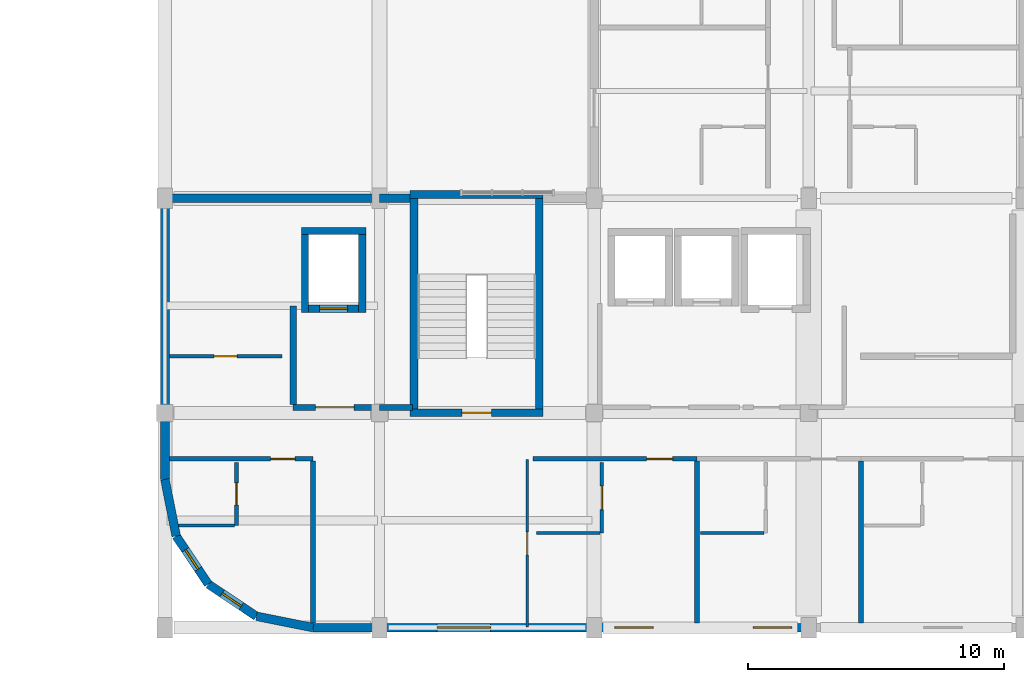
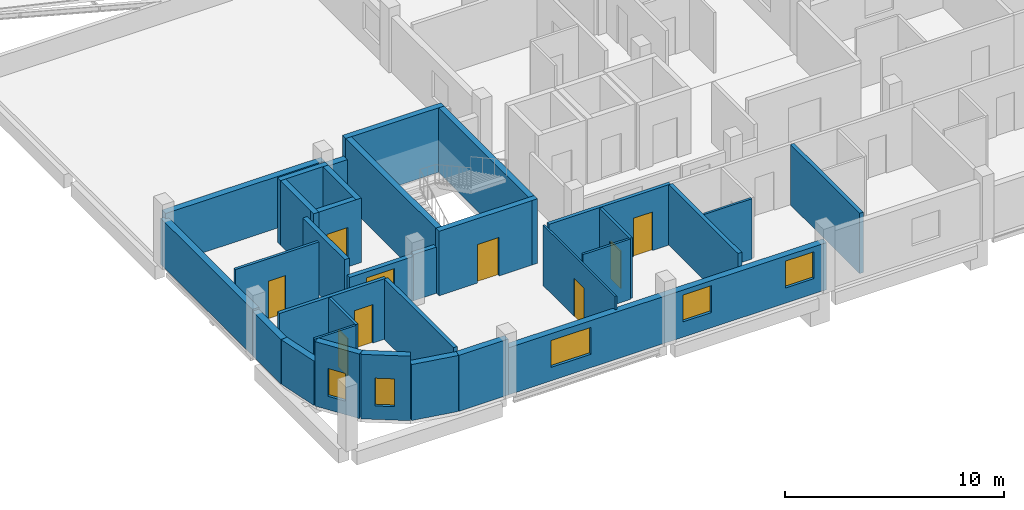
# One storey, part 27 of 42: 33 walls, 9 doors, 5 windows, 14 openings.
"""IFC4 building model written with IfcOpenShell, lengths in metres."""

from ifc_helpers import new_model, si_unit, derived_unit, direction, frame, frame_2d, origin, place, context, subcontext, project, spatial, rectangle, extrude, material, layer, layer_set, type_object, element, fill, save


model = new_model("IFC4")

# Units and contexts
model_context = context("Model", 3, precision=1e-05, world=origin(), true_north=direction((0.0, 1.0)))
body_context = subcontext(model_context, "Body", "Model", "MODEL_VIEW")
ifc_project = project(units=[si_unit("LENGTHUNIT", "METRE"), si_unit("AREAUNIT", "SQUARE_METRE"), si_unit("VOLUMEUNIT", "CUBIC_METRE"), si_unit("PLANEANGLEUNIT", "RADIAN"), si_unit("MASSUNIT", "GRAM", prefix="KILO"), derived_unit("THERMALTRANSMITTANCEUNIT", [(si_unit("POWERUNIT", "WATT"), 1), (si_unit("LENGTHUNIT", "METRE"), -2), (si_unit("THERMODYNAMICTEMPERATUREUNIT", "KELVIN"), -1)])], contexts=[model_context])

# Site, building, storey
site_placement = place(None, origin())
site = spatial("IfcSite", under=ifc_project, at=site_placement, CompositionType="ELEMENT")
building_placement = place(site_placement, origin())
building = spatial("IfcBuilding", under=site, at=building_placement, Name="Barrovel Congress Hotel", CompositionType="ELEMENT")
storey_placement = place(building_placement, frame((0.0, 0.0, 18.300048828125)))
storey = spatial("IfcBuildingStorey", under=building, at=storey_placement, Name="L04", CompositionType="ELEMENT", Elevation=18.300048828125)

# Wall
ifc_material_1 = material(Name="Fired Clay Brick Masonry", Category="masonry")
ifc_layer_1 = layer(ifc_material_1, 0.340087890625)
ifc_layer_set_1 = layer_set([ifc_layer_1], Name="Fired Clay Brick Masonry")
wall_type_1 = type_object("IfcWallType", Name="EW-BRK340", PredefinedType="STANDARD", material=ifc_layer_set_1)
wall_1_placement = place(storey_placement, frame((16.800048828125, 10.0, 0.0), z_axis=(0.0, 0.0, 1.0), x_axis=(0.195057908159, -0.980791727363, 0.0)))
element("IfcWall", 1, at=wall_1_placement, inside=storey, type_object=wall_type_1, Name="EW:L04:PROW-1", PredefinedType="STANDARD", context=body_context, shape_type="SweptSolid", body=[
    extrude(rectangle(XDim=2.262939453125, YDim=0.340087890625, at=frame_2d((1.13134765625, 0.0))), origin(), (0.0, 0.0, 1.0), 2.47998046875),
])

# Wall, opening, window
wall_2_placement = place(storey_placement, frame((17.241455078125, 7.780517578125, 0.0), z_axis=(0.0, 0.0, 1.0), x_axis=(0.555546297918, -0.831485604728, 0.0)))
wall_2 = element("IfcWall", 2, at=wall_2_placement, inside=storey, type_object=wall_type_1, Name="EW:L04:PROW-2", PredefinedType="STANDARD", context=body_context, shape_type="SweptSolid", body=[
    extrude(rectangle(XDim=2.26318359375, YDim=0.340087890625, at=frame_2d((1.131591796875, 0.0))), origin(), (0.0, 0.0, 1.0), 3.599853515625),
])
opening_1_placement = place(wall_2_placement, frame((0.64990234375, 0.0, 0.75)))
opening_1 = element("IfcOpeningElement", 3, at=opening_1_placement, cuts=wall_2, Name="Opening WN-11", PredefinedType="OPENING", context=body_context, shape_type="SweptSolid", body=[
    extrude(rectangle(XDim=0.89990234375, YDim=1.550048828125, at=frame_2d((0.449951171875, 0.77490234375))), frame((0.0, 0.18017578125, 0.0), z_axis=(0.0, -1.0, 0.0), x_axis=(1.0, 0.0, 0.0)), (0.0, 0.0, 1.0), 0.360107421875),
])
ifc_material_2 = material(Name="Double Low-E Insulated Glazing", Category="glass")
window_type_1 = type_object("IfcWindowType", Name="WIN-WN-11", PartitioningType="SINGLE_PANEL", PredefinedType="WINDOW", material=ifc_material_2)
window_1_placement = place(opening_1_placement, origin())
window_1 = element("IfcWindow", 4, at=window_1_placement, inside=storey, type_object=window_type_1, Name="WIN:L04:PROW-2", OverallHeight=1.550048828125, OverallWidth=0.89990234375, PartitioningType="SINGLE_PANEL", PredefinedType="WINDOW", context=body_context, shape_type="SweptSolid", body=[
    extrude(rectangle(XDim=0.89990234375, YDim=1.550048828125, at=frame_2d((0.449951171875, 0.77490234375))), frame((0.0, 0.030029296875, 0.0), z_axis=(0.0, -1.0, 0.0), x_axis=(1.0, 0.0, 0.0)), (0.0, 0.0, 1.0), 0.06005859375),
])
fill(opening_1, window_1)

wall_3_placement = place(storey_placement, frame((18.498779296875, 5.898681640625, 0.0), z_axis=(0.0, 0.0, 1.0), x_axis=(0.831502143458, -0.555521543618, 0.0)))
wall_3 = element("IfcWall", 5, at=wall_3_placement, inside=storey, type_object=wall_type_1, Name="EW:L04:PROW-3", PredefinedType="STANDARD", context=body_context, shape_type="SweptSolid", body=[
    extrude(rectangle(XDim=2.262939453125, YDim=0.340087890625, at=frame_2d((1.13134765625, 0.0))), origin(), (0.0, 0.0, 1.0), 3.599853515625),
])
opening_2_placement = place(wall_3_placement, frame((0.64990234375, 0.0, 0.75)))
opening_2 = element("IfcOpeningElement", 6, at=opening_2_placement, cuts=wall_3, Name="Opening WN-11", PredefinedType="OPENING", context=body_context, shape_type="SweptSolid", body=[
    extrude(rectangle(XDim=0.89990234375, YDim=1.550048828125, at=frame_2d((0.449951171875, 0.77490234375))), frame((0.0, 0.18017578125, 0.0), z_axis=(0.0, -1.0, 0.0), x_axis=(1.0, 0.0, 0.0)), (0.0, 0.0, 1.0), 0.360107421875),
])
window_2_placement = place(opening_2_placement, origin())
window_2 = element("IfcWindow", 7, at=window_2_placement, inside=storey, type_object=window_type_1, Name="WIN:L04:PROW-3", OverallHeight=1.550048828125, OverallWidth=0.89990234375, PartitioningType="SINGLE_PANEL", PredefinedType="WINDOW", context=body_context, shape_type="SweptSolid", body=[
    extrude(rectangle(XDim=0.89990234375, YDim=1.550048828125, at=frame_2d((0.449951171875, 0.77490234375))), frame((0.0, 0.030029296875, 0.0), z_axis=(0.0, -1.0, 0.0), x_axis=(1.0, 0.0, 0.0)), (0.0, 0.0, 1.0), 0.06005859375),
])
fill(opening_2, window_2)

# Wall
wall_4_placement = place(storey_placement, frame((20.38037109375, 4.6416015625, 0.0), z_axis=(0.0, 0.0, 1.0), x_axis=(0.98077519094, -0.195141038321, 0.0)))
element("IfcWall", 8, at=wall_4_placement, inside=storey, type_object=wall_type_1, Name="EW:L04:PROW-4", PredefinedType="STANDARD", context=body_context, shape_type="SweptSolid", body=[
    extrude(rectangle(XDim=2.26318359375, YDim=0.340087890625, at=frame_2d((1.131591796875, 0.0))), origin(), (0.0, 0.0, 1.0), 3.1259765625),
])

# Wall, openings, windows
wall_5_placement = place(storey_placement, frame((25.199951171875, 4.199951171875, 0.0), z_axis=(0.0, 0.0, 1.0), x_axis=(1.0, 0.0, 0.0)))
wall_5 = element("IfcWall", 9, at=wall_5_placement, inside=storey, type_object=wall_type_1, Name="EW:L04:HS-S", PredefinedType="STANDARD", context=body_context, shape_type="SweptSolid", body=[
    extrude(rectangle(XDim=16.800048828125, YDim=0.340087890625, at=frame_2d((8.39990234375, 0.0))), origin(), (0.0, 0.0, 1.0), 2.6298828125),
])
opening_3_placement = place(wall_5_placement, frame((9.208984375, 0.0, 0.85009765625)))
opening_3 = element("IfcOpeningElement", 10, at=opening_3_placement, cuts=wall_5, Name="Opening WN-07", PredefinedType="OPENING", context=body_context, shape_type="SweptSolid", body=[
    extrude(rectangle(XDim=1.5, YDim=1.5, at=frame_2d((0.75, 0.75))), frame((0.0, 0.18017578125, 0.0), z_axis=(0.0, -1.0, 0.0), x_axis=(1.0, 0.0, 0.0)), (0.0, 0.0, 1.0), 0.360107421875),
])
opening_4_placement = place(wall_5_placement, frame((14.627197265625, 0.0, 0.85009765625)))
opening_4 = element("IfcOpeningElement", 11, at=opening_4_placement, cuts=wall_5, Name="Opening WN-07", PredefinedType="OPENING", context=body_context, shape_type="SweptSolid", body=[
    extrude(rectangle(XDim=1.5, YDim=1.5, at=frame_2d((0.75, 0.75))), frame((0.0, 0.18017578125, 0.0), z_axis=(0.0, -1.0, 0.0), x_axis=(1.0, 0.0, 0.0)), (0.0, 0.0, 1.0), 0.360107421875),
])
opening_5_placement = place(wall_5_placement, frame((2.25, 0.0, 0.75)))
opening_5 = element("IfcOpeningElement", 12, at=opening_5_placement, cuts=wall_5, Name="Opening WN-09", PredefinedType="OPENING", context=body_context, shape_type="SweptSolid", body=[
    extrude(rectangle(XDim=2.10009765625, YDim=1.5, at=frame_2d((1.050048828125, 0.75))), frame((0.0, 0.18017578125, 0.0), z_axis=(0.0, -1.0, 0.0), x_axis=(1.0, 0.0, 0.0)), (0.0, 0.0, 1.0), 0.360107421875),
])
window_type_2 = type_object("IfcWindowType", Name="WIN-WN-07", PartitioningType="SINGLE_PANEL", PredefinedType="WINDOW", material=ifc_material_2)
window_3_placement = place(opening_3_placement, origin())
window_3 = element("IfcWindow", 13, at=window_3_placement, inside=storey, type_object=window_type_2, Name="WIN:L04:U02", OverallHeight=1.5, OverallWidth=1.5, PartitioningType="SINGLE_PANEL", PredefinedType="WINDOW", context=body_context, shape_type="SweptSolid", body=[
    extrude(rectangle(XDim=1.5, YDim=1.5, at=frame_2d((0.75, 0.75))), frame((0.0, 0.030029296875, 0.0), z_axis=(0.0, -1.0, 0.0), x_axis=(1.0, 0.0, 0.0)), (0.0, 0.0, 1.0), 0.06005859375),
])
fill(opening_3, window_3)
window_4_placement = place(opening_4_placement, origin())
window_4 = element("IfcWindow", 14, at=window_4_placement, inside=storey, type_object=window_type_2, Name="WIN:L04:U03", OverallHeight=1.5, OverallWidth=1.5, PartitioningType="SINGLE_PANEL", PredefinedType="WINDOW", context=body_context, shape_type="SweptSolid", body=[
    extrude(rectangle(XDim=1.5, YDim=1.5, at=frame_2d((0.75, 0.75))), frame((0.0, 0.030029296875, 0.0), z_axis=(0.0, -1.0, 0.0), x_axis=(1.0, 0.0, 0.0)), (0.0, 0.0, 1.0), 0.06005859375),
])
fill(opening_4, window_4)
window_type_3 = type_object("IfcWindowType", Name="WIN-WN-09", PartitioningType="SINGLE_PANEL", PredefinedType="WINDOW", material=ifc_material_2)
window_5_placement = place(opening_5_placement, origin())
window_5 = element("IfcWindow", 15, at=window_5_placement, inside=storey, type_object=window_type_3, Name="WIN:L04:SALON", OverallHeight=1.5, OverallWidth=2.10009765625, PartitioningType="SINGLE_PANEL", PredefinedType="WINDOW", context=body_context, shape_type="SweptSolid", body=[
    extrude(rectangle(XDim=2.10009765625, YDim=1.5, at=frame_2d((1.050048828125, 0.75))), frame((0.0, 0.030029296875, 0.0), z_axis=(0.0, -1.0, 0.0), x_axis=(1.0, 0.0, 0.0)), (0.0, 0.0, 1.0), 0.06005859375),
])
fill(opening_5, window_5)

# Walls
wall_6_placement = place(storey_placement, frame((25.199951171875, 21.0, 0.0), z_axis=(0.0, 0.0, 1.0), x_axis=(-1.0, 0.0, 0.0)))
element("IfcWall", 16, at=wall_6_placement, inside=storey, type_object=wall_type_1, Name="EW:L04:HS-NW-2", PredefinedType="STANDARD", context=body_context, shape_type="SweptSolid", body=[
    extrude(rectangle(XDim=8.39990234375, YDim=0.340087890625, at=frame_2d((4.199951171875, 0.0))), origin(), (0.0, 0.0, 1.0), 2.8798828125),
])
wall_7_placement = place(storey_placement, frame((16.800048828125, 21.0, 0.0), z_axis=(0.0, 0.0, 1.0), x_axis=(0.0, -1.0, 0.0)))
element("IfcWall", 17, at=wall_7_placement, inside=storey, type_object=wall_type_1, Name="EW:L04:HS-SW", PredefinedType="STANDARD", context=body_context, shape_type="SweptSolid", body=[
    extrude(rectangle(XDim=8.39990234375, YDim=0.340087890625, at=frame_2d((4.199951171875, 0.0))), origin(), (0.0, 0.0, 1.0), 2.579833984375),
])
wall_8_placement = place(storey_placement, frame((22.60009765625, 4.199951171875, 0.0), z_axis=(0.0, 0.0, 1.0), x_axis=(1.0, 0.0, 0.0)))
element("IfcWall", 18, at=wall_8_placement, inside=storey, type_object=wall_type_1, Name="EW:L04:HS-S:P01", PredefinedType="STANDARD", context=body_context, shape_type="SweptSolid", body=[
    extrude(rectangle(XDim=2.599853515625, YDim=0.340087890625, at=frame_2d((1.2998046875, 0.0))), origin(), (0.0, 0.0, 1.0), 3.1259765625),
])
wall_9_placement = place(storey_placement, frame((26.39990234375, 21.0, 0.0), z_axis=(0.0, 0.0, 1.0), x_axis=(-1.0, 0.0, 0.0)))
element("IfcWall", 19, at=wall_9_placement, inside=storey, type_object=wall_type_1, Name="EW:L04:HS-NW-2:P01", PredefinedType="STANDARD", context=body_context, shape_type="SweptSolid", body=[
    extrude(rectangle(XDim=1.199951171875, YDim=0.340087890625, at=frame_2d((0.60009765625, 0.0))), origin(), (0.0, 0.0, 1.0), 2.530029296875),
])
wall_10_placement = place(storey_placement, frame((16.800048828125, 12.60009765625, 0.0), z_axis=(0.0, 0.0, 1.0), x_axis=(0.0, -1.0, 0.0)))
element("IfcWall", 20, at=wall_10_placement, inside=storey, type_object=wall_type_1, Name="EW:L04:HS-SW:P02", PredefinedType="STANDARD", context=body_context, shape_type="SweptSolid", body=[
    extrude(rectangle(XDim=2.60009765625, YDim=0.340087890625, at=frame_2d((1.300048828125, 0.0))), origin(), (0.0, 0.0, 1.0), 2.47998046875),
])

# Wall, opening, door
ifc_material_3 = material(Name="Gypsum Acoustic Stud", Category="gypsum")
ifc_layer_2 = layer(ifc_material_3, 0.179931640625)
ifc_layer_set_2 = layer_set([ifc_layer_2], Name="Gypsum Acoustic Stud")
wall_type_2 = type_object("IfcWallType", Name="PW-ACU-180", PredefinedType="PARTITIONING", material=ifc_layer_set_2)
wall_11_placement = place(storey_placement, frame((16.969970703125, 10.800048828125, 0.0), z_axis=(0.0, 0.0, 1.0), x_axis=(1.0, 0.0, 0.0)))
wall_11 = element("IfcWall", 21, at=wall_11_placement, inside=storey, type_object=wall_type_2, Name="PW:L04:U01:COR", PredefinedType="PARTITIONING", context=body_context, shape_type="SweptSolid", body=[
    extrude(rectangle(XDim=5.630126953125, YDim=0.179931640625, at=frame_2d((2.81494140625, 0.0))), origin(), (0.0, 0.0, 1.0), 3.375),
])
opening_6_placement = place(wall_11_placement, frame((3.965087890625, 0.0, 0.0)))
opening_6 = element("IfcOpeningElement", 22, at=opening_6_placement, cuts=wall_11, Name="Opening ID-HTL", PredefinedType="OPENING", context=body_context, shape_type="SweptSolid", body=[
    extrude(rectangle(XDim=0.9599609375, YDim=2.14990234375, at=frame_2d((0.47998046875, 1.074951171875))), frame((0.0, 0.10009765625, 0.0), z_axis=(0.0, -1.0, 0.0), x_axis=(1.0, 0.0, 0.0)), (0.0, 0.0, 1.0), 0.199951171875),
])
ifc_material_4 = material(Name="Solid Oak Acoustic Timber Door", Category="wood")
door_type_1 = type_object("IfcDoorType", Name="IDR-ID-HTL", OperationType="NOTDEFINED", PredefinedType="DOOR", material=ifc_material_4)
door_1_placement = place(opening_6_placement, origin())
door_1 = element("IfcDoor", 23, at=door_1_placement, inside=storey, type_object=door_type_1, Name="DR:L04:U01:ENT", OperationType="SINGLE_SWING_RIGHT", OverallHeight=2.14990234375, OverallWidth=0.9599609375, PredefinedType="DOOR", context=body_context, shape_type="SweptSolid", body=[
    extrude(rectangle(XDim=0.9599609375, YDim=2.14990234375, at=frame_2d((0.47998046875, 1.074951171875))), frame((0.0, 0.02490234375, 0.0), z_axis=(0.0, -1.0, 0.0), x_axis=(1.0, 0.0, 0.0)), (0.0, 0.0, 1.0), 0.050048828125),
])
fill(opening_6, door_1)

wall_12_placement = place(storey_placement, frame((31.199951171875, 10.800048828125, 0.0), z_axis=(0.0, 0.0, 1.0), x_axis=(1.0, 0.0, 0.0)))
wall_12 = element("IfcWall", 24, at=wall_12_placement, inside=storey, type_object=wall_type_2, Name="PW:L04:U02:COR", PredefinedType="PARTITIONING", context=body_context, shape_type="SweptSolid", body=[
    extrude(rectangle(XDim=6.418212890625, YDim=0.179931640625, at=frame_2d((3.208984375, 0.0))), origin(), (0.0, 0.0, 1.0), 3.375),
])
opening_7_placement = place(wall_12_placement, frame((4.4501953125, 0.0, 0.0)))
opening_7 = element("IfcOpeningElement", 25, at=opening_7_placement, cuts=wall_12, Name="Opening ID-ACC", PredefinedType="OPENING", context=body_context, shape_type="SweptSolid", body=[
    extrude(rectangle(XDim=1.02001953125, YDim=2.14990234375, at=frame_2d((0.510009765625, 1.074951171875))), frame((0.0, 0.10009765625, 0.0), z_axis=(0.0, -1.0, 0.0), x_axis=(1.0, 0.0, 0.0)), (0.0, 0.0, 1.0), 0.199951171875),
])
door_type_2 = type_object("IfcDoorType", Name="IDR-ID-ACC", OperationType="NOTDEFINED", PredefinedType="DOOR", material=ifc_material_4)
door_2_placement = place(opening_7_placement, origin())
door_2 = element("IfcDoor", 26, at=door_2_placement, inside=storey, type_object=door_type_2, Name="DR:L04:U02:ENT", OperationType="SINGLE_SWING_RIGHT", OverallHeight=2.14990234375, OverallWidth=1.02001953125, PredefinedType="DOOR", context=body_context, shape_type="SweptSolid", body=[
    extrude(rectangle(XDim=1.02001953125, YDim=2.14990234375, at=frame_2d((0.510009765625, 1.074951171875))), frame((0.0, 0.02490234375, 0.0), z_axis=(0.0, -1.0, 0.0), x_axis=(1.0, 0.0, 0.0)), (0.0, 0.0, 1.0), 0.050048828125),
])
fill(opening_7, door_2)

# Walls
ifc_layer_3 = layer(ifc_material_3, 0.1201171875)
ifc_layer_set_3 = layer_set([ifc_layer_3], Name="Gypsum Acoustic Stud")
wall_type_3 = type_object("IfcWallType", Name="PW-INT-120", PredefinedType="PARTITIONING", material=ifc_layer_set_3)
wall_13_placement = place(storey_placement, frame((17.340087890625, 8.199951171875, 0.0), z_axis=(0.0, 0.0, 1.0), x_axis=(1.0, 0.0, 0.0)))
element("IfcWall", 27, at=wall_13_placement, inside=storey, type_object=wall_type_3, Name="PW:L04:U01:B2", PredefinedType="PARTITIONING", context=body_context, shape_type="SweptSolid", body=[
    extrude(rectangle(XDim=2.18994140625, YDim=0.1201171875, at=frame_2d((1.094970703125, 0.0))), origin(), (0.0, 0.0, 1.0), 3.375),
])
for number, where, z_axis, x_axis, name in (
    (28, (31.340087890625, 7.89990234375, 0.0), (0.0, 0.0, 1.0), (1.0, 0.0, 0.0), "PW:L04:U02:B2"),
    (29, (37.75830078125, 7.89990234375, 0.0), (0.0, 0.0, 1.0), (1.0, 0.0, 0.0), "PW:L04:U03:B2"),
):
    element("IfcWall", number, at=place(storey_placement, frame(where, z_axis=z_axis, x_axis=x_axis)), inside=storey, type_object=wall_type_3, Name=name, PredefinedType="PARTITIONING", context=body_context, shape_type="SweptSolid", body=[
        extrude(rectangle(XDim=2.489990234375, YDim=0.1201171875, at=frame_2d((1.2451171875, 0.0))), origin(), (0.0, 0.0, 1.0), 3.375),
    ])

# Wall, opening, door
ifc_layer_4 = layer(ifc_material_3, 0.10009765625)
ifc_layer_set_4 = layer_set([ifc_layer_4], Name="Gypsum Acoustic Stud")
wall_type_4 = type_object("IfcWallType", Name="PW-LGT-100", PredefinedType="PARTITIONING", material=ifc_layer_set_4)
wall_14_placement = place(storey_placement, frame((30.97998046875, 4.219970703125, 0.0), z_axis=(0.0, 0.0, 1.0), x_axis=(0.0, 1.0, 0.0)))
wall_14 = element("IfcWall", 30, at=wall_14_placement, inside=storey, type_object=wall_type_4, Name="RW:SP:L04:SALON:ED", PredefinedType="PARTITIONING", context=body_context, shape_type="SweptSolid", body=[
    extrude(rectangle(XDim=6.56005859375, YDim=0.10009765625, at=frame_2d((3.280029296875, 0.0))), origin(), (0.0, 0.0, 1.0), 3.375),
])
opening_8_placement = place(wall_14_placement, frame((2.830078125, 0.0, 0.0)))
opening_8 = element("IfcOpeningElement", 31, at=opening_8_placement, cuts=wall_14, Name="Opening ID-WC1", PredefinedType="OPENING", context=body_context, shape_type="SweptSolid", body=[
    extrude(rectangle(XDim=0.89990234375, YDim=2.1201171875, at=frame_2d((0.449951171875, 1.06005859375))), frame((0.0, 0.06005859375, 0.0), z_axis=(0.0, -1.0, 0.0), x_axis=(1.0, 0.0, 0.0)), (0.0, 0.0, 1.0), 0.1201171875),
])
ifc_material_5 = material(Name="Lacquered Timber Moisture Door", Category="wood")
door_type_3 = type_object("IfcDoorType", Name="IDR-ID-WC1", OperationType="NOTDEFINED", PredefinedType="DOOR", material=ifc_material_5)
door_3_placement = place(opening_8_placement, origin())
door_3 = element("IfcDoor", 32, at=door_3_placement, inside=storey, type_object=door_type_3, Name="RD:SP:L04:SALON", OperationType="SINGLE_SWING_RIGHT", OverallHeight=2.1201171875, OverallWidth=0.89990234375, PredefinedType="DOOR", context=body_context, shape_type="SweptSolid", body=[
    extrude(rectangle(XDim=0.89990234375, YDim=2.1201171875, at=frame_2d((0.449951171875, 1.06005859375))), frame((0.0, 0.02490234375, 0.0), z_axis=(0.0, -1.0, 0.0), x_axis=(1.0, 0.0, 0.0)), (0.0, 0.0, 1.0), 0.050048828125),
])
fill(opening_8, door_3)

# Walls
ifc_layer_5 = layer(ifc_material_1, 0.199951171875)
ifc_layer_set_5 = layer_set([ifc_layer_5], Name="Fired Clay Brick Masonry")
wall_type_5 = type_object("IfcWallType", Name="PW-MAS-200", PredefinedType="PARTITIONING", material=ifc_layer_set_5)
for number, where, z_axis, x_axis, name in (
    (33, (22.60009765625, 4.3701171875, 0.0), (0.0, 0.0, 1.0), (0.0, 1.0, 0.0), "PW:L04:U01:DEM"),
    (34, (37.6181640625, 4.3701171875, 0.0), (0.0, 0.0, 1.0), (0.0, 1.0, 0.0), "PW:L04:U02:DEM"),
    (35, (44.036376953125, 4.3701171875, 0.0), (0.0, 0.0, 1.0), (0.0, 1.0, 0.0), "PW:L04:U03:DEM"),
):
    element("IfcWall", number, at=place(storey_placement, frame(where, z_axis=z_axis, x_axis=x_axis)), inside=storey, type_object=wall_type_5, Name=name, PredefinedType="PARTITIONING", context=body_context, shape_type="SweptSolid", body=[
        extrude(rectangle(XDim=6.33984375, YDim=0.199951171875, at=frame_2d((3.169921875, 0.0))), origin(), (0.0, 0.0, 1.0), 3.375),
    ])

# Wall, opening, door
ifc_layer_6 = layer(ifc_material_1, 0.239990234375)
ifc_layer_set_6 = layer_set([ifc_layer_6], Name="Fired Clay Brick Masonry")
wall_type_6 = type_object("IfcWallType", Name="PW-MAS-240", PredefinedType="PARTITIONING", material=ifc_layer_set_6)
wall_15_placement = place(storey_placement, frame((21.820068359375, 12.820068359375, 0.0), z_axis=(0.0, 0.0, 1.0), x_axis=(1.0, 0.0, 0.0)))
wall_15 = element("IfcWall", 36, at=wall_15_placement, inside=storey, type_object=wall_type_6, Name="RW:SP:L04:FFL-1:S", PredefinedType="PARTITIONING", context=body_context, shape_type="SweptSolid", body=[
    extrude(rectangle(XDim=3.3798828125, YDim=0.239990234375, at=frame_2d((1.68994140625, 0.0))), origin(), (0.0, 0.0, 1.0), 2.47998046875),
])
opening_9_placement = place(wall_15_placement, frame((0.8798828125, 0.0, 0.0)))
opening_9 = element("IfcOpeningElement", 37, at=opening_9_placement, cuts=wall_15, Name="Opening ID-FFL", PredefinedType="OPENING", context=body_context, shape_type="SweptSolid", body=[
    extrude(rectangle(XDim=1.5, YDim=2.14990234375, at=frame_2d((0.75, 1.074951171875))), frame((0.0, 0.1298828125, 0.0), z_axis=(0.0, -1.0, 0.0), x_axis=(1.0, 0.0, 0.0)), (0.0, 0.0, 1.0), 0.260009765625),
])
ifc_material_6 = material(Name="Painted Hollow-Metal Steel Door", Category="steel")
door_type_4 = type_object("IfcDoorType", Name="IDR-ID-FFL", OperationType="NOTDEFINED", PredefinedType="DOOR", material=ifc_material_6)
door_4_placement = place(opening_9_placement, origin())
door_4 = element("IfcDoor", 38, at=door_4_placement, inside=storey, type_object=door_type_4, Name="RD:SP:L04:FFL-1", OperationType="DOUBLE_DOOR_SINGLE_SWING", OverallHeight=2.14990234375, OverallWidth=1.5, PredefinedType="DOOR", context=body_context, shape_type="SweptSolid", body=[
    extrude(rectangle(XDim=1.5, YDim=2.14990234375, at=frame_2d((0.75, 1.074951171875))), frame((0.0, 0.02490234375, 0.0), z_axis=(0.0, -1.0, 0.0), x_axis=(1.0, 0.0, 0.0)), (0.0, 0.0, 1.0), 0.050048828125),
])
fill(opening_9, door_4)

# Walls
wall_16_placement = place(storey_placement, frame((21.820068359375, 12.93994140625, 0.0), z_axis=(0.0, 0.0, 1.0), x_axis=(0.0, 1.0, 0.0)))
element("IfcWall", 39, at=wall_16_placement, inside=storey, type_object=wall_type_6, Name="RW:SP:L04:FFL-1:W", PredefinedType="PARTITIONING", context=body_context, shape_type="SweptSolid", body=[
    extrude(rectangle(XDim=3.840087890625, YDim=0.239990234375, at=frame_2d((1.919921875, 0.0))), origin(), (0.0, 0.0, 1.0), 3.375),
])
wall_17_placement = place(storey_placement, frame((25.199951171875, 12.820068359375, 0.0), z_axis=(0.0, 0.0, 1.0), x_axis=(1.0, 0.0, 0.0)))
element("IfcWall", 40, at=wall_17_placement, inside=storey, type_object=wall_type_6, Name="RW:SP:L04:FFL-1:S:P02", PredefinedType="PARTITIONING", context=body_context, shape_type="SweptSolid", body=[
    extrude(rectangle(XDim=1.280029296875, YDim=0.239990234375, at=frame_2d((0.64013671875, 0.0))), origin(), (0.0, 0.0, 1.0), 2.579833984375),
])

# Wall, opening, door
ifc_material_7 = material(Name="Gypsum Moisture Board", Category="gypsum")
ifc_layer_7 = layer(ifc_material_7, 0.139892578125)
ifc_layer_set_7 = layer_set([ifc_layer_7], Name="Gypsum Moisture Board")
wall_type_7 = type_object("IfcWallType", Name="PW-WET-140", PredefinedType="PARTITIONING", material=ifc_layer_set_7)
wall_18_placement = place(storey_placement, frame((19.60009765625, 8.199951171875, 0.0), z_axis=(0.0, 0.0, 1.0), x_axis=(0.0, 1.0, 0.0)))
wall_18 = element("IfcWall", 41, at=wall_18_placement, inside=storey, type_object=wall_type_7, Name="PW:L04:U01:B1", PredefinedType="PARTITIONING", context=body_context, shape_type="SweptSolid", body=[
    extrude(rectangle(XDim=2.4599609375, YDim=0.139892578125, at=frame_2d((1.22998046875, 0.0))), origin(), (0.0, 0.0, 1.0), 3.375),
])
opening_10_placement = place(wall_18_placement, frame((0.800048828125, 0.0, 0.0)))
opening_10 = element("IfcOpeningElement", 42, at=opening_10_placement, cuts=wall_18, Name="Opening ID-ENS", PredefinedType="OPENING", context=body_context, shape_type="SweptSolid", body=[
    extrude(rectangle(XDim=0.860107421875, YDim=2.10009765625, at=frame_2d((0.43017578125, 1.050048828125))), frame((0.0, 0.080078125, 0.0), z_axis=(0.0, -1.0, 0.0), x_axis=(1.0, 0.0, 0.0)), (0.0, 0.0, 1.0), 0.159912109375),
])
door_type_5 = type_object("IfcDoorType", Name="IDR-ID-ENS", OperationType="NOTDEFINED", PredefinedType="DOOR", material=ifc_material_5)
door_5_placement = place(opening_10_placement, origin())
door_5 = element("IfcDoor", 43, at=door_5_placement, inside=storey, type_object=door_type_5, Name="DR:L04:U01:ENS", OperationType="SINGLE_SWING_LEFT", OverallHeight=2.10009765625, OverallWidth=0.860107421875, PredefinedType="DOOR", context=body_context, shape_type="SweptSolid", body=[
    extrude(rectangle(XDim=0.860107421875, YDim=2.10009765625, at=frame_2d((0.43017578125, 1.050048828125))), frame((0.0, 0.02490234375, 0.0), z_axis=(0.0, -1.0, 0.0), x_axis=(1.0, 0.0, 0.0)), (0.0, 0.0, 1.0), 0.050048828125),
])
fill(opening_10, door_5)

wall_19_placement = place(storey_placement, frame((33.89990234375, 7.89990234375, 0.0), z_axis=(0.0, 0.0, 1.0), x_axis=(0.0, 1.0, 0.0)))
wall_19 = element("IfcWall", 44, at=wall_19_placement, inside=storey, type_object=wall_type_7, Name="PW:L04:U02:B1", PredefinedType="PARTITIONING", context=body_context, shape_type="SweptSolid", body=[
    extrude(rectangle(XDim=2.760009765625, YDim=0.139892578125, at=frame_2d((1.3798828125, 0.0))), origin(), (0.0, 0.0, 1.0), 3.375),
])
opening_11_placement = place(wall_19_placement, frame((0.919921875, 0.0, 0.0)))
opening_11 = element("IfcOpeningElement", 45, at=opening_11_placement, cuts=wall_19, Name="Opening ID-EA2", PredefinedType="OPENING", context=body_context, shape_type="SweptSolid", body=[
    extrude(rectangle(XDim=0.919921875, YDim=2.10009765625, at=frame_2d((0.4599609375, 1.050048828125))), frame((0.0, 0.080078125, 0.0), z_axis=(0.0, -1.0, 0.0), x_axis=(1.0, 0.0, 0.0)), (0.0, 0.0, 1.0), 0.159912109375),
])
door_type_6 = type_object("IfcDoorType", Name="IDR-ID-EA2", OperationType="NOTDEFINED", PredefinedType="DOOR", material=ifc_material_5)
door_6_placement = place(opening_11_placement, origin())
door_6 = element("IfcDoor", 46, at=door_6_placement, inside=storey, type_object=door_type_6, Name="DR:L04:U02:ENS", OperationType="SINGLE_SWING_LEFT", OverallHeight=2.10009765625, OverallWidth=0.919921875, PredefinedType="DOOR", context=body_context, shape_type="SweptSolid", body=[
    extrude(rectangle(XDim=0.919921875, YDim=2.10009765625, at=frame_2d((0.4599609375, 1.050048828125))), frame((0.0, 0.02490234375, 0.0), z_axis=(0.0, -1.0, 0.0), x_axis=(1.0, 0.0, 0.0)), (0.0, 0.0, 1.0), 0.050048828125),
])
fill(opening_11, door_6)

wall_20_placement = place(storey_placement, frame((16.969970703125, 14.820068359375, 0.0), z_axis=(0.0, 0.0, 1.0), x_axis=(1.0, 0.0, 0.0)))
wall_20 = element("IfcWall", 47, at=wall_20_placement, inside=storey, type_object=wall_type_7, Name="RW:SP:L04:HKP:S", PredefinedType="PARTITIONING", context=body_context, shape_type="SweptSolid", body=[
    extrude(rectangle(XDim=4.409912109375, YDim=0.139892578125, at=frame_2d((2.205078125, 0.0))), origin(), (0.0, 0.0, 1.0), 3.375),
])
opening_12_placement = place(wall_20_placement, frame((1.7548828125, 0.0, 0.0)))
opening_12 = element("IfcOpeningElement", 48, at=opening_12_placement, cuts=wall_20, Name="Opening ID-WC1", PredefinedType="OPENING", context=body_context, shape_type="SweptSolid", body=[
    extrude(rectangle(XDim=0.89990234375, YDim=2.1201171875, at=frame_2d((0.449951171875, 1.06005859375))), frame((0.0, 0.080078125, 0.0), z_axis=(0.0, -1.0, 0.0), x_axis=(1.0, 0.0, 0.0)), (0.0, 0.0, 1.0), 0.159912109375),
])
door_7_placement = place(opening_12_placement, origin())
door_7 = element("IfcDoor", 49, at=door_7_placement, inside=storey, type_object=door_type_3, Name="RD:SP:L04:HKP", OperationType="SINGLE_SWING_LEFT", OverallHeight=2.1201171875, OverallWidth=0.89990234375, PredefinedType="DOOR", context=body_context, shape_type="SweptSolid", body=[
    extrude(rectangle(XDim=0.89990234375, YDim=2.1201171875, at=frame_2d((0.449951171875, 1.06005859375))), frame((0.0, 0.02490234375, 0.0), z_axis=(0.0, -1.0, 0.0), x_axis=(1.0, 0.0, 0.0)), (0.0, 0.0, 1.0), 0.050048828125),
])
fill(opening_12, door_7)

ifc_material_8 = material(Name="Concrete C40", Category="concrete")
ifc_layer_8 = layer(ifc_material_8, 0.280029296875)
ifc_layer_set_8 = layer_set([ifc_layer_8], Name="Concrete C40")
wall_type_8 = type_object("IfcWallType", Name="SW-C40-280", PredefinedType="SHEAR", material=ifc_layer_set_8)
wall_21_placement = place(storey_placement, frame((22.139892578125, 16.679931640625, 0.0), z_axis=(0.0, 0.0, 1.0), x_axis=(1.0, 0.0, 0.0)))
wall_21 = element("IfcWall", 50, at=wall_21_placement, inside=storey, type_object=wall_type_8, Name="LSH:FL-1:L04:S", PredefinedType="SHEAR", context=body_context, shape_type="SweptSolid", body=[
    extrude(rectangle(XDim=2.52001953125, YDim=0.280029296875, at=frame_2d((1.260009765625, 0.0))), origin(), (0.0, 0.0, 1.0), 3.599853515625),
])
opening_13_placement = place(wall_21_placement, frame((0.7099609375, 0.0, 0.0)))
opening_13 = element("IfcOpeningElement", 51, at=opening_13_placement, cuts=wall_21, Name="Opening LD-FF", PredefinedType="OPENING", context=body_context, shape_type="SweptSolid", body=[
    extrude(rectangle(XDim=1.10009765625, YDim=2.199951171875, at=frame_2d((0.550048828125, 1.10009765625))), frame((0.0, 0.14990234375, 0.0), z_axis=(0.0, -1.0, 0.0), x_axis=(1.0, 0.0, 0.0)), (0.0, 0.0, 1.0), 0.300048828125),
])
ifc_material_9 = material(Name="Brushed Stainless Steel", Category="steel")
door_type_7 = type_object("IfcDoorType", Name="IDR-LD-FF", OperationType="NOTDEFINED", PredefinedType="DOOR", material=ifc_material_9)
door_8_placement = place(opening_13_placement, origin())
door_8 = element("IfcDoor", 52, at=door_8_placement, inside=storey, type_object=door_type_7, Name="Lift Landing Door LD-FL-1-L04", OperationType="SLIDING_TO_LEFT", OverallHeight=2.199951171875, OverallWidth=1.10009765625, PredefinedType="DOOR", context=body_context, shape_type="SweptSolid", body=[
    extrude(rectangle(XDim=1.10009765625, YDim=2.199951171875, at=frame_2d((0.550048828125, 1.10009765625))), frame((0.0, 0.02490234375, 0.0), z_axis=(0.0, -1.0, 0.0), x_axis=(1.0, 0.0, 0.0)), (0.0, 0.0, 1.0), 0.050048828125),
])
fill(opening_13, door_8)

# Walls
wall_22_placement = place(storey_placement, frame((24.52001953125, 16.5400390625, 0.0), z_axis=(0.0, 0.0, 1.0), x_axis=(0.0, 1.0, 0.0)))
element("IfcWall", 53, at=wall_22_placement, inside=storey, type_object=wall_type_8, Name="LSH:FL-1:L04:E", PredefinedType="SHEAR", context=body_context, shape_type="SweptSolid", body=[
    extrude(rectangle(XDim=3.320068359375, YDim=0.280029296875, at=frame_2d((1.66015625, 0.0))), origin(), (0.0, 0.0, 1.0), 3.599853515625),
])
wall_23_placement = place(storey_placement, frame((24.659912109375, 19.719970703125, 0.0), z_axis=(0.0, 0.0, 1.0), x_axis=(-1.0, 0.0, 0.0)))
element("IfcWall", 54, at=wall_23_placement, inside=storey, type_object=wall_type_8, Name="LSH:FL-1:L04:N", PredefinedType="SHEAR", context=body_context, shape_type="SweptSolid", body=[
    extrude(rectangle(XDim=2.52001953125, YDim=0.280029296875, at=frame_2d((1.260009765625, 0.0))), origin(), (0.0, 0.0, 1.0), 3.599853515625),
])
wall_24_placement = place(storey_placement, frame((22.280029296875, 19.860107421875, 0.0), z_axis=(0.0, 0.0, 1.0), x_axis=(0.0, -1.0, 0.0)))
element("IfcWall", 55, at=wall_24_placement, inside=storey, type_object=wall_type_8, Name="LSH:FL-1:L04:W", PredefinedType="SHEAR", context=body_context, shape_type="SweptSolid", body=[
    extrude(rectangle(XDim=3.320068359375, YDim=0.280029296875, at=frame_2d((1.66015625, 0.0))), origin(), (0.0, 0.0, 1.0), 3.599853515625),
])

# Wall, opening, door
ifc_layer_9 = layer(ifc_material_8, 0.300048828125)
ifc_layer_set_9 = layer_set([ifc_layer_9], Name="Concrete C40")
wall_type_9 = type_object("IfcWallType", Name="SW-C40-300", PredefinedType="SHEAR", material=ifc_layer_set_9)
wall_25_placement = place(storey_placement, frame((26.39990234375, 12.610107421875, 0.0), z_axis=(0.0, 0.0, 1.0), x_axis=(1.0, 0.0, 0.0)))
wall_25 = element("IfcWall", 56, at=wall_25_placement, inside=storey, type_object=wall_type_9, Name="SHW:XS-01:L04:S", PredefinedType="SHEAR", context=body_context, shape_type="SweptSolid", body=[
    extrude(rectangle(XDim=5.2001953125, YDim=0.300048828125, at=frame_2d((2.60009765625, 0.0))), origin(), (0.0, 0.0, 1.0), 3.599853515625),
])
opening_14_placement = place(wall_25_placement, frame((2.02490234375, 0.0, 0.0)))
opening_14 = element("IfcOpeningElement", 57, at=opening_14_placement, cuts=wall_25, Name="Opening ID-ST1", PredefinedType="OPENING", context=body_context, shape_type="SweptSolid", body=[
    extrude(rectangle(XDim=1.14990234375, YDim=2.14990234375, at=frame_2d((0.574951171875, 1.074951171875))), frame((0.0, 0.16015625, 0.0), z_axis=(0.0, -1.0, 0.0), x_axis=(1.0, 0.0, 0.0)), (0.0, 0.0, 1.0), 0.320068359375),
])
door_type_8 = type_object("IfcDoorType", Name="IDR-ID-ST1", OperationType="NOTDEFINED", PredefinedType="DOOR", material=ifc_material_6)
door_9_placement = place(opening_14_placement, origin())
door_9 = element("IfcDoor", 58, at=door_9_placement, inside=storey, type_object=door_type_8, Name="Stair Core Fire Door XS-01-L04", OperationType="SINGLE_SWING_RIGHT", OverallHeight=2.14990234375, OverallWidth=1.14990234375, PredefinedType="DOOR", context=body_context, shape_type="SweptSolid", body=[
    extrude(rectangle(XDim=1.14990234375, YDim=2.14990234375, at=frame_2d((0.574951171875, 1.074951171875))), frame((0.0, 0.02490234375, 0.0), z_axis=(0.0, -1.0, 0.0), x_axis=(1.0, 0.0, 0.0)), (0.0, 0.0, 1.0), 0.050048828125),
])
fill(opening_14, door_9)

# Walls
wall_26_placement = place(storey_placement, frame((31.449951171875, 12.4599609375, 0.0), z_axis=(0.0, 0.0, 1.0), x_axis=(0.0, 1.0, 0.0)))
element("IfcWall", 59, at=wall_26_placement, inside=storey, type_object=wall_type_9, Name="SHW:XS-01:L04:E", PredefinedType="SHEAR", context=body_context, shape_type="SweptSolid", body=[
    extrude(rectangle(XDim=8.840087890625, YDim=0.300048828125, at=frame_2d((4.419921875, 0.0))), origin(), (0.0, 0.0, 1.0), 3.599853515625),
])
wall_27_placement = place(storey_placement, frame((31.60009765625, 21.14990234375, 0.0), z_axis=(0.0, 0.0, 1.0), x_axis=(-1.0, 0.0, 0.0)))
element("IfcWall", 60, at=wall_27_placement, inside=storey, type_object=wall_type_9, Name="SHW:XS-01:L04:N", PredefinedType="SHEAR", context=body_context, shape_type="SweptSolid", body=[
    extrude(rectangle(XDim=5.2001953125, YDim=0.300048828125, at=frame_2d((2.60009765625, 0.0))), origin(), (0.0, 0.0, 1.0), 3.599853515625),
])
wall_28_placement = place(storey_placement, frame((26.550048828125, 21.300048828125, 0.0), z_axis=(0.0, 0.0, 1.0), x_axis=(0.0, -1.0, 0.0)))
element("IfcWall", 61, at=wall_28_placement, inside=storey, type_object=wall_type_9, Name="SHW:XS-01:L04:W", PredefinedType="SHEAR", context=body_context, shape_type="SweptSolid", body=[
    extrude(rectangle(XDim=8.840087890625, YDim=0.300048828125, at=frame_2d((4.419921875, 0.0))), origin(), (0.0, 0.0, 1.0), 3.599853515625),
])

save(model, "model.ifc")
